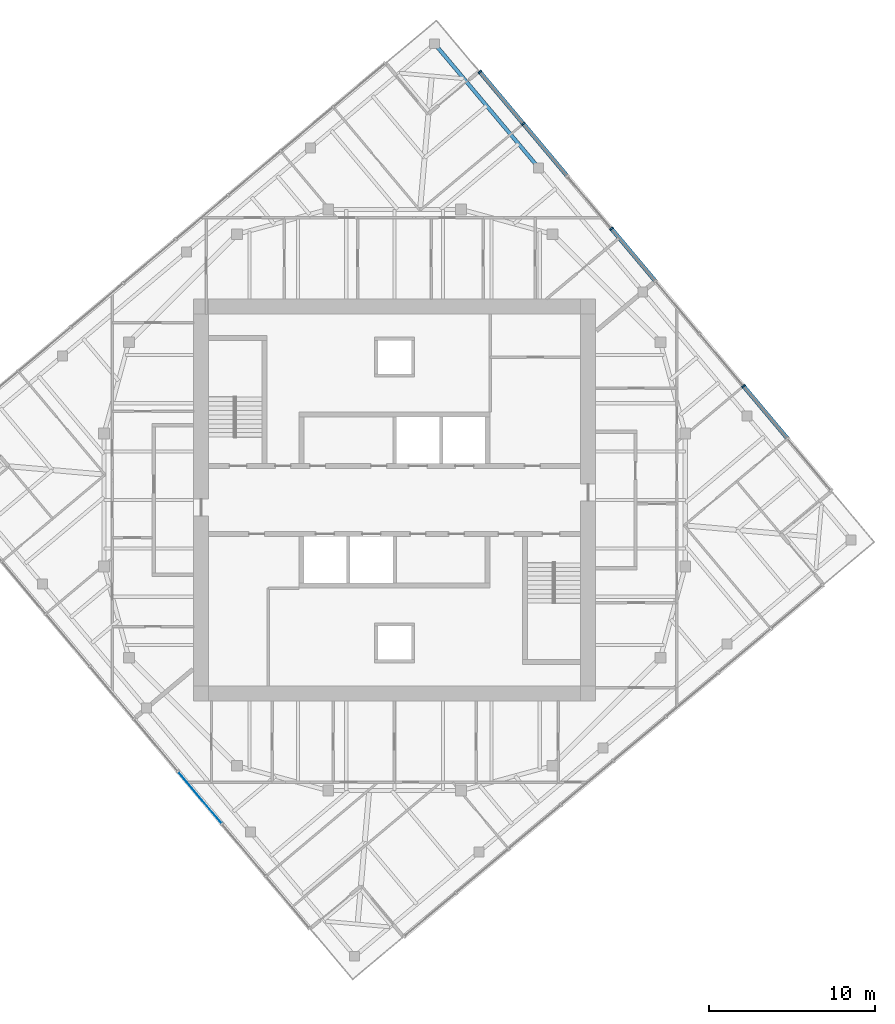
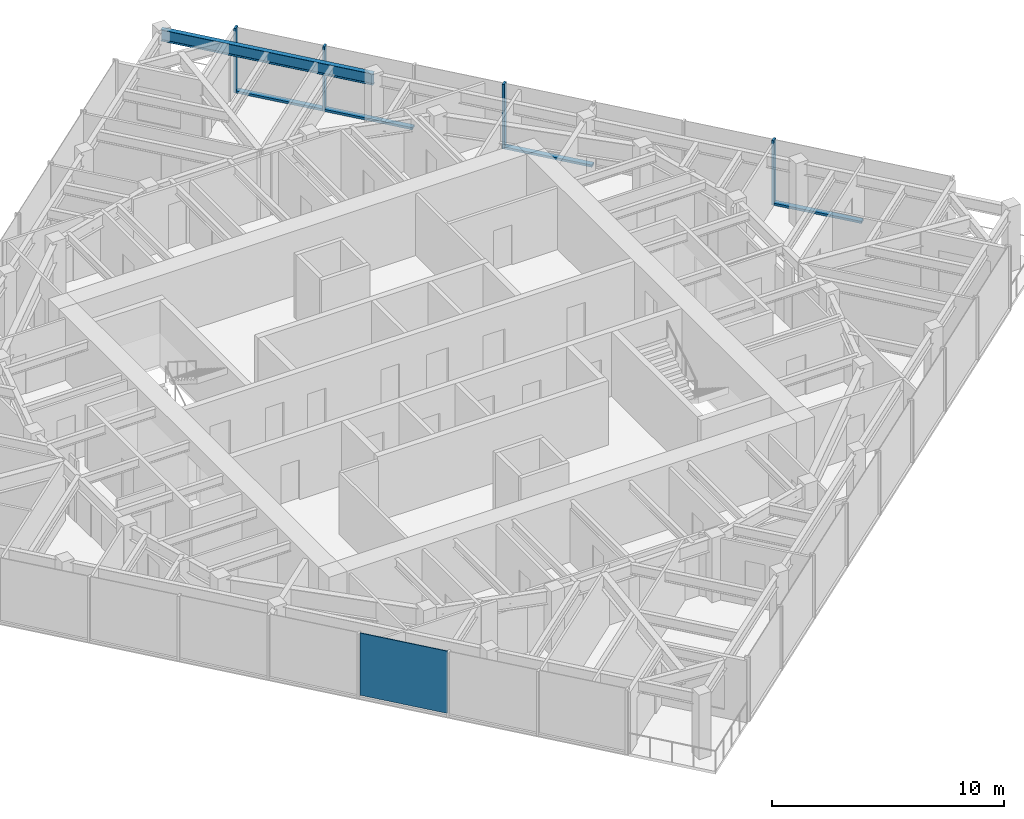
# One storey, part 5 of 11: 8 members, 1 beam, 1 plate, 2 elements without a shape of their own.
"""IFC4 building model written with IfcOpenShell, lengths in metres."""

from ifc_helpers import new_model, si_unit, direction, frame, origin, origin_2d, place, context, subcontext, project, spatial, rectangle, i_section, extrude, material, layer, layer_set, material_profile, profile_set, type_object, element, aggregate, save


model = new_model("IFC4")

# Units and contexts
model_context = context("Model", 3, precision=1e-05, world=origin(), true_north=direction((0.0, 1.0)))
body_context = subcontext(model_context, "Body", "Model", "MODEL_VIEW")
ifc_project = project(units=[si_unit("LENGTHUNIT", "METRE"), si_unit("AREAUNIT", "SQUARE_METRE"), si_unit("VOLUMEUNIT", "CUBIC_METRE"), si_unit("PLANEANGLEUNIT", "RADIAN"), si_unit("MASSUNIT", "GRAM", prefix="KILO")], contexts=[model_context])

# Site, building, storey
site_placement = place(None, origin())
site = spatial("IfcSite", under=ifc_project, at=site_placement, CompositionType="ELEMENT")
building_placement = place(site_placement, origin())
building = spatial("IfcBuilding", under=site, at=building_placement, Name="Torsade Residences", CompositionType="ELEMENT")
storey_placement = place(building_placement, frame((0.0, 0.0, 276.0)))
storey = spatial("IfcBuildingStorey", under=building, at=storey_placement, Name="L76", CompositionType="ELEMENT", Elevation=276.0)

# Beam
ifc_material_1 = material(Name="Steel grade 300", Category="steel")
ifc_material_profile_1 = material_profile(ifc_material_1, i_section(OverallWidth=0.22802734375, OverallDepth=0.60205078125, WebThickness=0.010498046875, FlangeThickness=0.014892578125, FilletRadius=0.013916015625, at=origin_2d()), Name="610UB101")
ifc_profile_set_1 = profile_set([ifc_material_profile_1], Name="Steel grade 300")
beam_type = type_object("IfcBeamType", Name="EDGE BEAM 610UB101", PredefinedType="SPANDREL", material=ifc_profile_set_1)
beam_placement = place(storey_placement, frame((48.670654296875, 50.003173828125, 2.948974609375), z_axis=(-0.642779160279, 0.766051532934, 0.0), x_axis=(-0.766051532934, -0.642779160279, 0.0)))
element("IfcBeam", 1, at=beam_placement, inside=storey, type_object=beam_type, Name="Edge beam 08 L77", PredefinedType="SPANDREL", context=body_context, shape_type="SweptSolid", body=[
    extrude(i_section(OverallWidth=0.22802734375, OverallDepth=0.60205078125, WebThickness=0.010498046875, FlangeThickness=0.014892578125, FilletRadius=0.013916015625, at=origin_2d()), origin(), (0.0, 0.0, 1.0), 9.75),
])

# Curtain wall, members
ifc_material_2 = material(Name="Aluminium and glass", Category="aluminium")
curtain_wall_type = type_object("IfcCurtainWallType", Name="FRITTED GLASS CURTAIN WALL HIGH ZONE", PredefinedType="NOTDEFINED", material=ifc_material_2)
curtain_wall_1_placement = place(storey_placement, origin())
curtain_wall_1 = element("IfcCurtainWall", 2, at=curtain_wall_1_placement, inside=storey, type_object=curtain_wall_type, Name="Curtain wall L76 face 4", PredefinedType="NOTDEFINED")
ifc_material_3 = material(Name="Aluminium mullion", Category="aluminium")
ifc_material_profile_2 = material_profile(ifc_material_3, rectangle(XDim=0.25, YDim=0.10009765625, at=origin_2d()), Name="HIGH ZONE CURTAIN WALL MULLION 250x100")
ifc_profile_set_2 = profile_set([ifc_material_profile_2], Name="Aluminium mullion")
member_type_1 = type_object("IfcMemberType", Name="HIGH ZONE CURTAIN WALL MULLION 250x100", PredefinedType="MULLION", material=ifc_profile_set_2)
member_1_placement = place(storey_placement, frame((61.0068359375, 36.857177734375, 0.0), z_axis=(0.0, 0.0, 1.0), x_axis=(-0.766044437106, -0.642787616853, 0.0)))
member_1 = element("IfcMember", 3, at=member_1_placement, type_object=member_type_1, Name="Mullion 3", PredefinedType="MULLION", context=body_context, shape_type="SweptSolid", body=[
    extrude(rectangle(XDim=0.25, YDim=0.10009765625, at=origin_2d()), origin(), (0.0, 0.0, 1.0), 3.39990234375),
])
member_2_placement = place(storey_placement, frame((53.052490234375, 46.337158203125, 0.0), z_axis=(0.0, 0.0, 1.0), x_axis=(-0.766044437106, -0.642787616853, 0.0)))
member_2 = element("IfcMember", 4, at=member_2_placement, type_object=member_type_1, Name="Mullion 6", PredefinedType="MULLION", context=body_context, shape_type="SweptSolid", body=[
    extrude(rectangle(XDim=0.25, YDim=0.10009765625, at=origin_2d()), origin(), (0.0, 0.0, 1.0), 3.39990234375),
])
member_3_placement = place(storey_placement, frame((47.74951171875, 52.656982421875, 0.0), z_axis=(0.0, 0.0, 1.0), x_axis=(-0.766044437106, -0.642787616853, 0.0)))
member_3 = element("IfcMember", 5, at=member_3_placement, type_object=member_type_1, Name="Mullion 8", PredefinedType="MULLION", context=body_context, shape_type="SweptSolid", body=[
    extrude(rectangle(XDim=0.25, YDim=0.10009765625, at=origin_2d()), origin(), (0.0, 0.0, 1.0), 3.39990234375),
])
member_4_placement = place(storey_placement, frame((45.130126953125, 55.778564453125, 0.0), z_axis=(0.0, 0.0, 1.0), x_axis=(-0.766044437106, -0.642787616853, 0.0)))
member_4 = element("IfcMember", 6, at=member_4_placement, type_object=member_type_1, Name="Mullion 9", PredefinedType="MULLION", context=body_context, shape_type="SweptSolid", body=[
    extrude(rectangle(XDim=0.25, YDim=0.10009765625, at=origin_2d()), origin(), (0.0, 0.0, 1.0), 3.39990234375),
])
ifc_material_4 = material(Name="Aluminium transom", Category="aluminium")
ifc_material_profile_3 = material_profile(ifc_material_4, rectangle(XDim=0.25, YDim=0.1201171875, at=origin_2d()), Name="HIGH ZONE CURTAIN WALL TRANSOM 250x120")
ifc_profile_set_3 = profile_set([ifc_material_profile_3], Name="Aluminium transom")
member_type_2 = type_object("IfcMemberType", Name="HIGH ZONE CURTAIN WALL TRANSOM 250x120", PredefinedType="USERDEFINED", material=ifc_profile_set_3)
member_5_placement = place(storey_placement, frame((63.626220703125, 33.735595703125, 0.06005859375), z_axis=(-0.6427581255, 0.766069182322, 0.0), x_axis=(-0.766069182322, -0.6427581255, 0.0)))
member_5 = element("IfcMember", 7, at=member_5_placement, type_object=member_type_2, Name="Transom 2.1", ObjectType="TRANSOM", PredefinedType="USERDEFINED", context=body_context, shape_type="SweptSolid", body=[
    extrude(rectangle(XDim=0.25, YDim=0.1201171875, at=origin_2d()), origin(), (0.0, 0.0, 1.0), 4.025146484375),
])
member_6_placement = place(storey_placement, frame((55.671875, 43.21533203125, 0.06005859375), z_axis=(-0.642793719372, 0.766039316443, 0.0), x_axis=(-0.766039316443, -0.642793719372, 0.0)))
member_6 = element("IfcMember", 8, at=member_6_placement, type_object=member_type_2, Name="Transom 5.1", ObjectType="TRANSOM", PredefinedType="USERDEFINED", context=body_context, shape_type="SweptSolid", body=[
    extrude(rectangle(XDim=0.25, YDim=0.1201171875, at=origin_2d()), origin(), (0.0, 0.0, 1.0), 4.025146484375),
])
member_7_placement = place(storey_placement, frame((50.36865234375, 49.535400390625, 0.06005859375), z_axis=(-0.642787992616, 0.766044121803, 0.0), x_axis=(-0.766044121803, -0.642787992616, 0.0)))
member_7 = element("IfcMember", 9, at=member_7_placement, type_object=member_type_2, Name="Transom 7.1", ObjectType="TRANSOM", PredefinedType="USERDEFINED", context=body_context, shape_type="SweptSolid", body=[
    extrude(rectangle(XDim=0.25, YDim=0.1201171875, at=origin_2d()), origin(), (0.0, 0.0, 1.0), 4.02490234375),
])
member_8_placement = place(storey_placement, frame((47.71728515625, 52.6953125, 0.06005859375), z_axis=(-0.642814619413, 0.766021778456, 0.0), x_axis=(-0.766021778456, -0.642814619413, 0.0)))
member_8 = element("IfcMember", 10, at=member_8_placement, type_object=member_type_2, Name="Transom 8.1", ObjectType="TRANSOM", PredefinedType="USERDEFINED", context=body_context, shape_type="SweptSolid", body=[
    extrude(rectangle(XDim=0.25, YDim=0.1201171875, at=origin_2d()), origin(), (0.0, 0.0, 1.0), 3.97509765625),
])
aggregate(curtain_wall_1, [member_1, member_2, member_3, member_4, member_5, member_6, member_7, member_8])

# Curtain wall, plate
curtain_wall_2_placement = place(storey_placement, origin())
curtain_wall_2 = element("IfcCurtainWall", 11, at=curtain_wall_2_placement, inside=storey, type_object=curtain_wall_type, Name="Curtain wall L76 face 10", PredefinedType="NOTDEFINED")
ifc_material_5 = material(Name="Laminated glass", Category="glass")
ifc_layer = layer(ifc_material_5, 0.0400390625)
ifc_layer_set = layer_set([ifc_layer], Name="Laminated glass")
plate_type = type_object("IfcPlateType", Name="OPERABLE VENT PANEL", PredefinedType="CURTAIN_PANEL", material=ifc_layer_set)
plate_placement = place(storey_placement, frame((28.2734375, 12.0830078125, 0.1201171875), z_axis=(0.0, 0.0, 1.0), x_axis=(0.642787616853, -0.766044437106, 0.0)))
plate = element("IfcPlate", 12, at=plate_placement, type_object=plate_type, Name="Panel 6", PredefinedType="CURTAIN_PANEL", context=body_context, shape_type="SweptSolid", body=[
    extrude(rectangle(XDim=4.02490234375, YDim=0.0400390625, at=origin_2d()), origin(), (0.0, 0.0, 1.0), 3.280029296875),
])
aggregate(curtain_wall_2, [plate])

save(model, "model.ifc")
